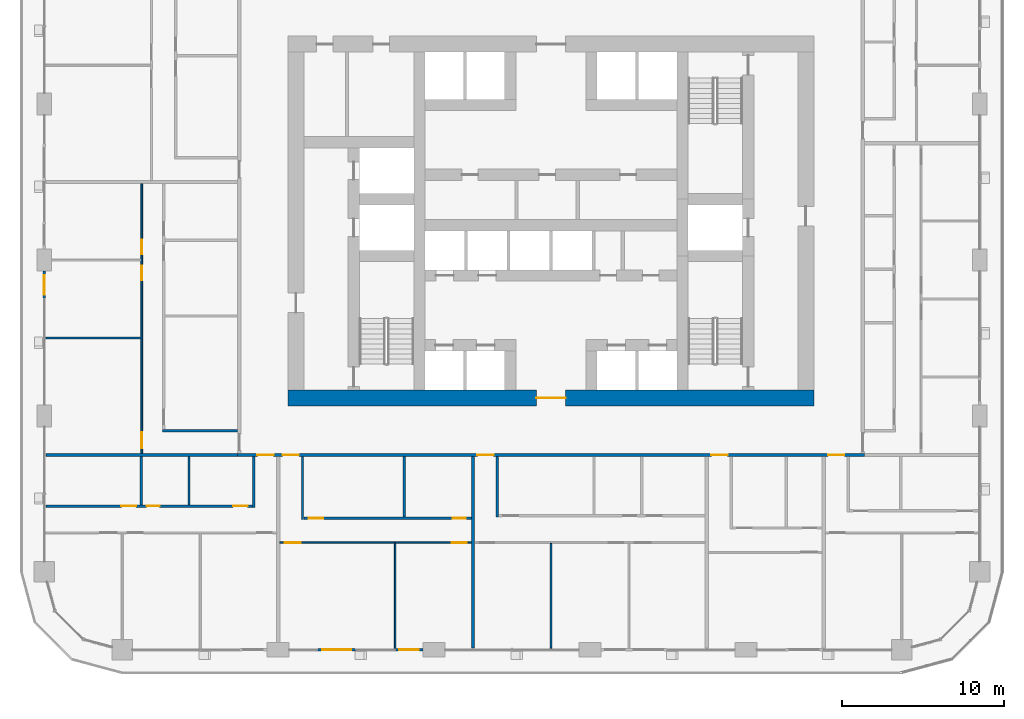
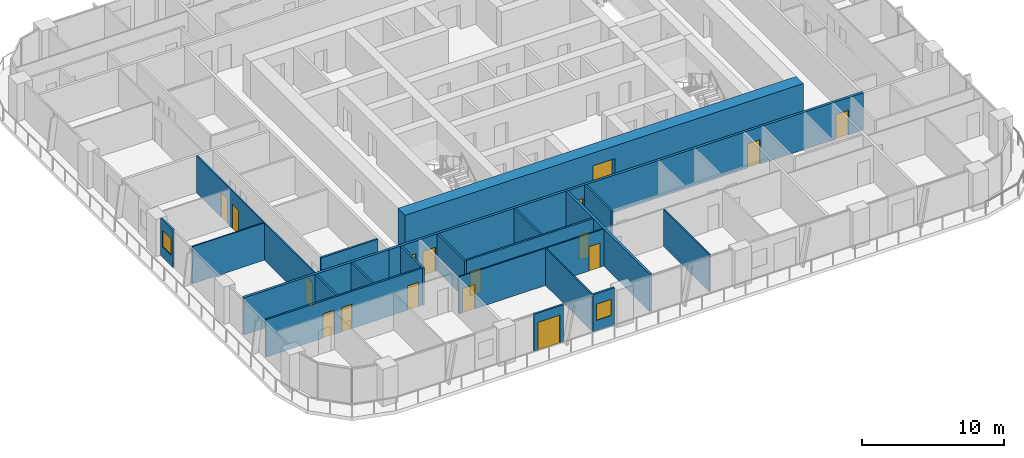
# One storey, part 9 of 21: 21 walls, 17 doors, 2 windows, 19 openings.
"""IFC4 building model written with IfcOpenShell, lengths in metres."""

from ifc_helpers import new_model, si_unit, direction, frame, frame_2d, origin, place, context, subcontext, project, spatial, rectangle, extrude, material, layer, layer_set, type_object, element, fill, save


model = new_model("IFC4")

# Units and contexts
model_context = context("Model", 3, precision=1e-05, world=origin(), true_north=direction((0.0, 1.0)))
body_context = subcontext(model_context, "Body", "Model", "MODEL_VIEW")
ifc_project = project(units=[si_unit("LENGTHUNIT", "METRE"), si_unit("AREAUNIT", "SQUARE_METRE"), si_unit("VOLUMEUNIT", "CUBIC_METRE"), si_unit("PLANEANGLEUNIT", "RADIAN"), si_unit("MASSUNIT", "GRAM", prefix="KILO")], contexts=[model_context])

# Site, building, storey
site_placement = place(None, origin())
site = spatial("IfcSite", under=ifc_project, at=site_placement, CompositionType="ELEMENT")
building_placement = place(site_placement, origin())
building = spatial("IfcBuilding", under=site, at=building_placement, Name="Madar Terraces", CompositionType="ELEMENT")
storey_placement = place(building_placement, frame((0.0, 0.0, 32.89990234375)))
storey = spatial("IfcBuildingStorey", under=building, at=storey_placement, Name="L07", CompositionType="ELEMENT", Elevation=32.89990234375)

# Wall, opening, door
ifc_material_1 = material(Name="Concrete C80/95", Category="concrete")
ifc_layer_1 = layer(ifc_material_1, 1.0)
ifc_layer_set_1 = layer_set([ifc_layer_1], Name="Concrete C80/95 (CRW1 RC wall 1000)")
wall_type_1 = type_object("IfcWallType", Name="CRW1 RC wall 1000", PredefinedType="SHEAR", material=ifc_layer_set_1)
wall_1_placement = place(storey_placement, frame((15.0, 15.5, 0.0), z_axis=(0.0, 0.0, 1.0), x_axis=(1.0, 0.0, 0.0)))
wall_1 = element("IfcWall", 1, at=wall_1_placement, inside=storey, type_object=wall_type_1, Name="CORE OUTER WALL", PredefinedType="SHEAR", context=body_context, shape_type="SweptSolid", body=[
    extrude(rectangle(XDim=32.39990234375, YDim=1.0, at=frame_2d((16.199951171875, 0.0))), origin(), (0.0, 0.0, 1.0), 3.2001953125),
])
opening_1_placement = place(wall_1_placement, frame((15.300048828125, 0.0, 0.0)))
opening_1 = element("IfcOpeningElement", 2, at=opening_1_placement, cuts=wall_1, Name="Opening KD1", PredefinedType="OPENING", context=body_context, shape_type="SweptSolid", body=[
    extrude(rectangle(XDim=1.800048828125, YDim=2.10009765625, at=frame_2d((0.89990234375, 1.050048828125))), frame((0.0, 0.510009765625, 0.0), z_axis=(0.0, -1.0, 0.0), x_axis=(1.0, 0.0, 0.0)), (0.0, 0.0, 1.0), 1.02001953125),
])
ifc_material_2 = material(Name="Steel door leaf", Category="steel")
door_type_1 = type_object("IfcDoorType", Name="Lobby door pair 1800 x 2100", OperationType="DOUBLE_DOOR_SINGLE_SWING", PredefinedType="DOOR", material=ifc_material_2)
door_1_placement = place(opening_1_placement, frame((1.800048828125, 0.0, 0.0), z_axis=(0.0, 0.0, 1.0), x_axis=(-1.0, 0.0, 0.0)))
door_1 = element("IfcDoor", 3, at=door_1_placement, inside=storey, type_object=door_type_1, Name="LIFT LOBBY DOOR", OperationType="DOUBLE_DOOR_SINGLE_SWING", OverallHeight=2.10009765625, OverallWidth=1.800048828125, PredefinedType="DOOR", context=body_context, shape_type="SweptSolid", body=[
    extrude(rectangle(XDim=1.800048828125, YDim=2.10009765625, at=frame_2d((0.89990234375, 1.050048828125))), frame((0.0, 0.02490234375, 0.0), z_axis=(0.0, -1.0, 0.0), x_axis=(1.0, 0.0, 0.0)), (0.0, 0.0, 1.0), 0.050048828125),
])
fill(opening_1, door_1)

ifc_material_3 = material(Name="Aluminium composite panel, black, over insulated backing", Category="aluminium")
ifc_layer_2 = layer(ifc_material_3, 0.14990234375)
ifc_layer_set_2 = layer_set([ifc_layer_2], Name="Facade bay panel 150")
wall_type_2 = type_object("IfcWallType", Name="Facade bay panel 150", PredefinedType="SOLIDWALL", material=ifc_layer_set_2)
wall_2_placement = place(storey_placement, frame((16.800048828125, 0.0, 0.0), z_axis=(0.0, 0.0, 1.0), x_axis=(1.0, 0.0, 0.0)))
wall_2 = element("IfcWall", 4, at=wall_2_placement, inside=storey, type_object=wall_type_2, Name="Facade bay panel", PredefinedType="SOLIDWALL", context=body_context, shape_type="SweptSolid", body=[
    extrude(rectangle(XDim=2.39990234375, YDim=0.14990234375, at=frame_2d((1.199951171875, 0.0))), origin(), (0.0, 0.0, 1.0), 3.2001953125),
])
opening_2_placement = place(wall_2_placement, frame((0.300048828125, 0.0, 0.0)))
opening_2 = element("IfcOpeningElement", 5, at=opening_2_placement, cuts=wall_2, Name="Opening ED1", PredefinedType="OPENING", context=body_context, shape_type="SweptSolid", body=[
    extrude(rectangle(XDim=1.800048828125, YDim=2.39990234375, at=frame_2d((0.89990234375, 1.199951171875))), frame((0.0, 0.0849609375, 0.0), z_axis=(0.0, -1.0, 0.0), x_axis=(1.0, 0.0, 0.0)), (0.0, 0.0, 1.0), 0.169921875),
])
ifc_material_4 = material(Name="Glass, clear, with black aluminium frame", Category="aluminium")
door_type_2 = type_object("IfcDoorType", Name="Balcony and terrace sliding door 1800 x 2400", OperationType="SLIDING_TO_LEFT", PredefinedType="DOOR", material=ifc_material_4)
door_2_placement = place(opening_2_placement, origin())
door_2 = element("IfcDoor", 6, at=door_2_placement, inside=storey, type_object=door_type_2, Name="Balcony door", OperationType="SLIDING_TO_LEFT", OverallHeight=2.39990234375, OverallWidth=1.800048828125, PredefinedType="DOOR", context=body_context, shape_type="SweptSolid", body=[
    extrude(rectangle(XDim=1.800048828125, YDim=2.39990234375, at=frame_2d((0.89990234375, 1.199951171875))), frame((0.0, 0.02490234375, 0.0), z_axis=(0.0, -1.0, 0.0), x_axis=(1.0, 0.0, 0.0)), (0.0, 0.0, 1.0), 0.050048828125),
])
fill(opening_2, door_2)

# Wall, opening, window
wall_3_placement = place(storey_placement, frame((21.60009765625, 0.0, 0.0), z_axis=(0.0, 0.0, 1.0), x_axis=(1.0, 0.0, 0.0)))
wall_3 = element("IfcWall", 7, at=wall_3_placement, inside=storey, type_object=wall_type_2, Name="Facade bay panel", PredefinedType="SOLIDWALL", context=body_context, shape_type="SweptSolid", body=[
    extrude(rectangle(XDim=1.724853515625, YDim=0.14990234375, at=frame_2d((0.8623046875, 0.0))), origin(), (0.0, 0.0, 1.0), 3.2001953125),
])
opening_3_placement = place(wall_3_placement, frame((0.262451171875, 0.0, 0.89990234375)))
opening_3 = element("IfcOpeningElement", 8, at=opening_3_placement, cuts=wall_3, Name="Opening W1", PredefinedType="OPENING", context=body_context, shape_type="SweptSolid", body=[
    extrude(rectangle(XDim=1.199951171875, YDim=1.39990234375, at=frame_2d((0.60009765625, 0.699951171875))), frame((0.0, 0.0849609375, 0.0), z_axis=(0.0, -1.0, 0.0), x_axis=(1.0, 0.0, 0.0)), (0.0, 0.0, 1.0), 0.169921875),
])
ifc_material_5 = material(Name="Glass, clear, with black aluminium frame", Category="aluminium")
window_type = type_object("IfcWindowType", Name="Vent window 1200 x 1400", PartitioningType="SINGLE_PANEL", PredefinedType="WINDOW", material=ifc_material_5)
window_1_placement = place(opening_3_placement, origin())
window_1 = element("IfcWindow", 9, at=window_1_placement, inside=storey, type_object=window_type, Name="Operable vent window", OverallHeight=1.39990234375, OverallWidth=1.199951171875, PartitioningType="SINGLE_PANEL", PredefinedType="WINDOW", context=body_context, shape_type="SweptSolid", body=[
    extrude(rectangle(XDim=1.199951171875, YDim=1.39990234375, at=frame_2d((0.60009765625, 0.699951171875))), frame((0.0, 0.030029296875, 0.0), z_axis=(0.0, -1.0, 0.0), x_axis=(1.0, 0.0, 0.0)), (0.0, 0.0, 1.0), 0.06005859375),
])
fill(opening_3, window_1)

wall_4_placement = place(storey_placement, frame((0.0, 23.324951171875, 0.0), z_axis=(0.0, 0.0, 1.0), x_axis=(0.0, -1.0, 0.0)))
wall_4 = element("IfcWall", 10, at=wall_4_placement, inside=storey, type_object=wall_type_2, Name="Facade bay panel", PredefinedType="SOLIDWALL", context=body_context, shape_type="SweptSolid", body=[
    extrude(rectangle(XDim=1.724853515625, YDim=0.14990234375, at=frame_2d((0.8623046875, 0.0))), origin(), (0.0, 0.0, 1.0), 3.2001953125),
])
opening_4_placement = place(wall_4_placement, frame((0.262451171875, 0.0, 0.89990234375)))
opening_4 = element("IfcOpeningElement", 11, at=opening_4_placement, cuts=wall_4, Name="Opening W1", PredefinedType="OPENING", context=body_context, shape_type="SweptSolid", body=[
    extrude(rectangle(XDim=1.199951171875, YDim=1.39990234375, at=frame_2d((0.60009765625, 0.699951171875))), frame((0.0, 0.0849609375, 0.0), z_axis=(0.0, -1.0, 0.0), x_axis=(1.0, 0.0, 0.0)), (0.0, 0.0, 1.0), 0.169921875),
])
window_2_placement = place(opening_4_placement, origin())
window_2 = element("IfcWindow", 12, at=window_2_placement, inside=storey, type_object=window_type, Name="Operable vent window", OverallHeight=1.39990234375, OverallWidth=1.199951171875, PartitioningType="SINGLE_PANEL", PredefinedType="WINDOW", context=body_context, shape_type="SweptSolid", body=[
    extrude(rectangle(XDim=1.199951171875, YDim=1.39990234375, at=frame_2d((0.60009765625, 0.699951171875))), frame((0.0, 0.030029296875, 0.0), z_axis=(0.0, -1.0, 0.0), x_axis=(1.0, 0.0, 0.0)), (0.0, 0.0, 1.0), 0.06005859375),
])
fill(opening_4, window_2)

# Wall
ifc_material_6 = material(Name="Gypsum board on steel studs", Category="steel")
ifc_layer_3 = layer(ifc_material_6, 0.10009765625)
ifc_layer_set_3 = layer_set([ifc_layer_3], Name="Flat partition 100")
wall_type_3 = type_object("IfcWallType", Name="Flat partition 100", PredefinedType="PARTITIONING", material=ifc_layer_set_3)
wall_5_placement = place(storey_placement, frame((21.60009765625, 6.550048828125, 0.0), z_axis=(0.0, 0.0, 1.0), x_axis=(0.0, -1.0, 0.0)))
element("IfcWall", 13, at=wall_5_placement, inside=storey, type_object=wall_type_3, Name="Flat partition 100", PredefinedType="PARTITIONING", context=body_context, shape_type="SweptSolid", body=[
    extrude(rectangle(XDim=6.449951171875, YDim=0.10009765625, at=frame_2d((3.22509765625, 0.0))), origin(), (0.0, 0.0, 1.0), 3.2001953125),
])

# Wall, openings, doors
wall_6_placement = place(storey_placement, frame((26.300048828125, 6.60009765625, 0.0), z_axis=(0.0, 0.0, 1.0), x_axis=(-1.0, 0.0, 0.0)))
wall_6 = element("IfcWall", 14, at=wall_6_placement, inside=storey, type_object=wall_type_3, Name="Flat partition 100", PredefinedType="PARTITIONING", context=body_context, shape_type="SweptSolid", body=[
    extrude(rectangle(XDim=11.800048828125, YDim=0.10009765625, at=frame_2d((5.89990234375, 0.0))), origin(), (0.0, 0.0, 1.0), 3.2001953125),
])
opening_5_placement = place(wall_6_placement, frame((10.5, 0.0, 0.0)))
opening_5 = element("IfcOpeningElement", 15, at=opening_5_placement, cuts=wall_6, Name="Opening D3", PredefinedType="OPENING", context=body_context, shape_type="SweptSolid", body=[
    extrude(rectangle(XDim=1.0, YDim=2.10009765625, at=frame_2d((0.5, 1.050048828125))), frame((0.0, 0.06005859375, 0.0), z_axis=(0.0, -1.0, 0.0), x_axis=(1.0, 0.0, 0.0)), (0.0, 0.0, 1.0), 0.1201171875),
])
opening_6_placement = place(wall_6_placement, frame((0.300048828125, 0.0, 0.0)))
opening_6 = element("IfcOpeningElement", 16, at=opening_6_placement, cuts=wall_6, Name="Opening D2", PredefinedType="OPENING", context=body_context, shape_type="SweptSolid", body=[
    extrude(rectangle(XDim=0.89990234375, YDim=2.10009765625, at=frame_2d((0.449951171875, 1.050048828125))), frame((0.0, 0.06005859375, 0.0), z_axis=(0.0, -1.0, 0.0), x_axis=(1.0, 0.0, 0.0)), (0.0, 0.0, 1.0), 0.1201171875),
])
ifc_material_7 = material(Name="Timber door leaf", Category="wood")
door_type_3 = type_object("IfcDoorType", Name="Flat living room door 1000", OperationType="NOTDEFINED", PredefinedType="DOOR", material=ifc_material_7)
door_3_placement = place(opening_5_placement, origin())
door_3 = element("IfcDoor", 17, at=door_3_placement, inside=storey, type_object=door_type_3, Name="Flat living room door 1000", OperationType="SINGLE_SWING_RIGHT", OverallHeight=2.10009765625, OverallWidth=1.0, PredefinedType="DOOR", context=body_context, shape_type="SweptSolid", body=[
    extrude(rectangle(XDim=1.0, YDim=2.10009765625, at=frame_2d((0.5, 1.050048828125))), frame((0.0, 0.02490234375, 0.0), z_axis=(0.0, -1.0, 0.0), x_axis=(1.0, 0.0, 0.0)), (0.0, 0.0, 1.0), 0.050048828125),
])
fill(opening_5, door_3)
ifc_material_8 = material(Name="Timber door leaf", Category="wood")
door_type_4 = type_object("IfcDoorType", Name="Flat room door 900", OperationType="NOTDEFINED", PredefinedType="DOOR", material=ifc_material_8)
door_4_placement = place(opening_6_placement, origin())
door_4 = element("IfcDoor", 18, at=door_4_placement, inside=storey, type_object=door_type_4, Name="Flat room door 900", OperationType="SINGLE_SWING_LEFT", OverallHeight=2.10009765625, OverallWidth=0.89990234375, PredefinedType="DOOR", context=body_context, shape_type="SweptSolid", body=[
    extrude(rectangle(XDim=0.89990234375, YDim=2.10009765625, at=frame_2d((0.449951171875, 1.050048828125))), frame((0.0, 0.02490234375, 0.0), z_axis=(0.0, -1.0, 0.0), x_axis=(1.0, 0.0, 0.0)), (0.0, 0.0, 1.0), 0.050048828125),
])
fill(opening_6, door_4)

# Walls
wall_7_placement = place(storey_placement, frame((31.199951171875, 6.550048828125, 0.0), z_axis=(0.0, 0.0, 1.0), x_axis=(0.0, -1.0, 0.0)))
element("IfcWall", 19, at=wall_7_placement, inside=storey, type_object=wall_type_3, Name="Flat partition 100", PredefinedType="PARTITIONING", context=body_context, shape_type="SweptSolid", body=[
    extrude(rectangle(XDim=6.449951171875, YDim=0.10009765625, at=frame_2d((3.22509765625, 0.0))), origin(), (0.0, 0.0, 1.0), 3.2001953125),
])
wall_8_placement = place(storey_placement, frame((5.949951171875, 19.199951171875, 0.0), z_axis=(0.0, 0.0, 1.0), x_axis=(-1.0, 0.0, 0.0)))
element("IfcWall", 20, at=wall_8_placement, inside=storey, type_object=wall_type_3, Name="Flat partition 100", PredefinedType="PARTITIONING", context=body_context, shape_type="SweptSolid", body=[
    extrude(rectangle(XDim=5.849853515625, YDim=0.10009765625, at=frame_2d((2.9248046875, 0.0))), origin(), (0.0, 0.0, 1.0), 3.2001953125),
])

# Wall, openings, doors
wall_9_placement = place(storey_placement, frame((6.0, 12.10009765625, 0.0), z_axis=(0.0, 0.0, 1.0), x_axis=(0.0, 1.0, 0.0)))
wall_9 = element("IfcWall", 21, at=wall_9_placement, inside=storey, type_object=wall_type_3, Name="Flat partition 100", PredefinedType="PARTITIONING", context=body_context, shape_type="SweptSolid", body=[
    extrude(rectangle(XDim=16.599853515625, YDim=0.10009765625, at=frame_2d((8.2998046875, 0.0))), origin(), (0.0, 0.0, 1.0), 3.2001953125),
])
opening_7_placement = place(wall_9_placement, frame((0.300048828125, 0.0, 0.0)))
opening_7 = element("IfcOpeningElement", 22, at=opening_7_placement, cuts=wall_9, Name="Opening D3", PredefinedType="OPENING", context=body_context, shape_type="SweptSolid", body=[
    extrude(rectangle(XDim=1.0, YDim=2.10009765625, at=frame_2d((0.5, 1.050048828125))), frame((0.0, 0.06005859375, 0.0), z_axis=(0.0, -1.0, 0.0), x_axis=(1.0, 0.0, 0.0)), (0.0, 0.0, 1.0), 0.1201171875),
])
opening_8_placement = place(wall_9_placement, frame((10.64990234375, 0.0, 0.0)))
opening_8 = element("IfcOpeningElement", 23, at=opening_8_placement, cuts=wall_9, Name="Opening D2", PredefinedType="OPENING", context=body_context, shape_type="SweptSolid", body=[
    extrude(rectangle(XDim=0.89990234375, YDim=2.10009765625, at=frame_2d((0.449951171875, 1.050048828125))), frame((0.0, 0.06005859375, 0.0), z_axis=(0.0, -1.0, 0.0), x_axis=(1.0, 0.0, 0.0)), (0.0, 0.0, 1.0), 0.1201171875),
])
opening_9_placement = place(wall_9_placement, frame((12.25, 0.0, 0.0)))
opening_9 = element("IfcOpeningElement", 24, at=opening_9_placement, cuts=wall_9, Name="Opening D2", PredefinedType="OPENING", context=body_context, shape_type="SweptSolid", body=[
    extrude(rectangle(XDim=0.89990234375, YDim=2.10009765625, at=frame_2d((0.449951171875, 1.050048828125))), frame((0.0, 0.06005859375, 0.0), z_axis=(0.0, -1.0, 0.0), x_axis=(1.0, 0.0, 0.0)), (0.0, 0.0, 1.0), 0.1201171875),
])
door_5_placement = place(opening_7_placement, origin())
door_5 = element("IfcDoor", 25, at=door_5_placement, inside=storey, type_object=door_type_3, Name="Flat living room door 1000", OperationType="SINGLE_SWING_LEFT", OverallHeight=2.10009765625, OverallWidth=1.0, PredefinedType="DOOR", context=body_context, shape_type="SweptSolid", body=[
    extrude(rectangle(XDim=1.0, YDim=2.10009765625, at=frame_2d((0.5, 1.050048828125))), frame((0.0, 0.02490234375, 0.0), z_axis=(0.0, -1.0, 0.0), x_axis=(1.0, 0.0, 0.0)), (0.0, 0.0, 1.0), 0.050048828125),
])
fill(opening_7, door_5)
door_6_placement = place(opening_8_placement, origin())
door_6 = element("IfcDoor", 26, at=door_6_placement, inside=storey, type_object=door_type_4, Name="Flat room door 900", OperationType="SINGLE_SWING_RIGHT", OverallHeight=2.10009765625, OverallWidth=0.89990234375, PredefinedType="DOOR", context=body_context, shape_type="SweptSolid", body=[
    extrude(rectangle(XDim=0.89990234375, YDim=2.10009765625, at=frame_2d((0.449951171875, 1.050048828125))), frame((0.0, 0.02490234375, 0.0), z_axis=(0.0, -1.0, 0.0), x_axis=(1.0, 0.0, 0.0)), (0.0, 0.0, 1.0), 0.050048828125),
])
fill(opening_8, door_6)
door_7_placement = place(opening_9_placement, origin())
door_7 = element("IfcDoor", 27, at=door_7_placement, inside=storey, type_object=door_type_4, Name="Flat room door 900", OperationType="SINGLE_SWING_LEFT", OverallHeight=2.10009765625, OverallWidth=0.89990234375, PredefinedType="DOOR", context=body_context, shape_type="SweptSolid", body=[
    extrude(rectangle(XDim=0.89990234375, YDim=2.10009765625, at=frame_2d((0.449951171875, 1.050048828125))), frame((0.0, 0.02490234375, 0.0), z_axis=(0.0, -1.0, 0.0), x_axis=(1.0, 0.0, 0.0)), (0.0, 0.0, 1.0), 0.050048828125),
])
fill(opening_9, door_7)

ifc_material_9 = material(Name="Lightweight blockwork", Category="masonry")
ifc_layer_4 = layer(ifc_material_9, 0.199951171875)
ifc_layer_set_4 = layer_set([ifc_layer_4], Name="Flat party and entrance wall 200")
wall_type_4 = type_object("IfcWallType", Name="Flat party and entrance wall 200", PredefinedType="PARTITIONING", material=ifc_layer_set_4)
wall_10_placement = place(storey_placement, frame((50.5, 12.0, 0.0), z_axis=(0.0, 0.0, 1.0), x_axis=(-1.0, 0.0, 0.0)))
wall_10 = element("IfcWall", 28, at=wall_10_placement, inside=storey, type_object=wall_type_4, Name="Flat party and entrance wall 200", PredefinedType="PARTITIONING", context=body_context, shape_type="SweptSolid", body=[
    extrude(rectangle(XDim=38.60009765625, YDim=0.199951171875, at=frame_2d((19.300048828125, 0.0))), origin(), (0.0, 0.0, 1.0), 3.2001953125),
])
opening_10_placement = place(wall_10_placement, frame((36.375, 0.0, 0.0)))
opening_10 = element("IfcOpeningElement", 29, at=opening_10_placement, cuts=wall_10, Name="Opening D1", PredefinedType="OPENING", context=body_context, shape_type="SweptSolid", body=[
    extrude(rectangle(XDim=1.0, YDim=2.10009765625, at=frame_2d((0.5, 1.050048828125))), frame((0.0, 0.10986328125, 0.0), z_axis=(0.0, -1.0, 0.0), x_axis=(1.0, 0.0, 0.0)), (0.0, 0.0, 1.0), 0.219970703125),
])
opening_11_placement = place(wall_10_placement, frame((34.824951171875, 0.0, 0.0)))
opening_11 = element("IfcOpeningElement", 30, at=opening_11_placement, cuts=wall_10, Name="Opening D1", PredefinedType="OPENING", context=body_context, shape_type="SweptSolid", body=[
    extrude(rectangle(XDim=1.0, YDim=2.10009765625, at=frame_2d((0.5, 1.050048828125))), frame((0.0, 0.10986328125, 0.0), z_axis=(0.0, -1.0, 0.0), x_axis=(1.0, 0.0, 0.0)), (0.0, 0.0, 1.0), 0.219970703125),
])
opening_12_placement = place(wall_10_placement, frame((22.824951171875, 0.0, 0.0)))
opening_12 = element("IfcOpeningElement", 31, at=opening_12_placement, cuts=wall_10, Name="Opening D1", PredefinedType="OPENING", context=body_context, shape_type="SweptSolid", body=[
    extrude(rectangle(XDim=1.0, YDim=2.10009765625, at=frame_2d((0.5, 1.050048828125))), frame((0.0, 0.10986328125, 0.0), z_axis=(0.0, -1.0, 0.0), x_axis=(1.0, 0.0, 0.0)), (0.0, 0.0, 1.0), 0.219970703125),
])
opening_13_placement = place(wall_10_placement, frame((8.425048828125, 0.0, 0.0)))
opening_13 = element("IfcOpeningElement", 32, at=opening_13_placement, cuts=wall_10, Name="Opening D1", PredefinedType="OPENING", context=body_context, shape_type="SweptSolid", body=[
    extrude(rectangle(XDim=1.0, YDim=2.10009765625, at=frame_2d((0.5, 1.050048828125))), frame((0.0, 0.10986328125, 0.0), z_axis=(0.0, -1.0, 0.0), x_axis=(1.0, 0.0, 0.0)), (0.0, 0.0, 1.0), 0.219970703125),
])
opening_14_placement = place(wall_10_placement, frame((1.22509765625, 0.0, 0.0)))
opening_14 = element("IfcOpeningElement", 33, at=opening_14_placement, cuts=wall_10, Name="Opening D1", PredefinedType="OPENING", context=body_context, shape_type="SweptSolid", body=[
    extrude(rectangle(XDim=1.0, YDim=2.10009765625, at=frame_2d((0.5, 1.050048828125))), frame((0.0, 0.10986328125, 0.0), z_axis=(0.0, -1.0, 0.0), x_axis=(1.0, 0.0, 0.0)), (0.0, 0.0, 1.0), 0.219970703125),
])
ifc_material_10 = material(Name="Timber fire door leaf", Category="wood")
door_type_5 = type_object("IfcDoorType", Name="Flat entrance door 1000 FD30S", OperationType="NOTDEFINED", PredefinedType="DOOR", material=ifc_material_10)
door_8_placement = place(opening_10_placement, origin())
door_8 = element("IfcDoor", 34, at=door_8_placement, inside=storey, type_object=door_type_5, Name="Flat entrance door 1000 FD30S", OperationType="SINGLE_SWING_LEFT", OverallHeight=2.10009765625, OverallWidth=1.0, PredefinedType="DOOR", context=body_context, shape_type="SweptSolid", body=[
    extrude(rectangle(XDim=1.0, YDim=2.10009765625, at=frame_2d((0.5, 1.050048828125))), frame((0.0, 0.02490234375, 0.0), z_axis=(0.0, -1.0, 0.0), x_axis=(1.0, 0.0, 0.0)), (0.0, 0.0, 1.0), 0.050048828125),
])
fill(opening_10, door_8)
door_9_placement = place(opening_11_placement, origin())
door_9 = element("IfcDoor", 35, at=door_9_placement, inside=storey, type_object=door_type_5, Name="Flat entrance door 1000 FD30S", OperationType="SINGLE_SWING_RIGHT", OverallHeight=2.10009765625, OverallWidth=1.0, PredefinedType="DOOR", context=body_context, shape_type="SweptSolid", body=[
    extrude(rectangle(XDim=1.0, YDim=2.10009765625, at=frame_2d((0.5, 1.050048828125))), frame((0.0, 0.02490234375, 0.0), z_axis=(0.0, -1.0, 0.0), x_axis=(1.0, 0.0, 0.0)), (0.0, 0.0, 1.0), 0.050048828125),
])
fill(opening_11, door_9)
door_10_placement = place(opening_12_placement, origin())
door_10 = element("IfcDoor", 36, at=door_10_placement, inside=storey, type_object=door_type_5, Name="Flat entrance door 1000 FD30S", OperationType="SINGLE_SWING_RIGHT", OverallHeight=2.10009765625, OverallWidth=1.0, PredefinedType="DOOR", context=body_context, shape_type="SweptSolid", body=[
    extrude(rectangle(XDim=1.0, YDim=2.10009765625, at=frame_2d((0.5, 1.050048828125))), frame((0.0, 0.02490234375, 0.0), z_axis=(0.0, -1.0, 0.0), x_axis=(1.0, 0.0, 0.0)), (0.0, 0.0, 1.0), 0.050048828125),
])
fill(opening_12, door_10)
door_11_placement = place(opening_13_placement, origin())
door_11 = element("IfcDoor", 37, at=door_11_placement, inside=storey, type_object=door_type_5, Name="Flat entrance door 1000 FD30S", OperationType="SINGLE_SWING_RIGHT", OverallHeight=2.10009765625, OverallWidth=1.0, PredefinedType="DOOR", context=body_context, shape_type="SweptSolid", body=[
    extrude(rectangle(XDim=1.0, YDim=2.10009765625, at=frame_2d((0.5, 1.050048828125))), frame((0.0, 0.02490234375, 0.0), z_axis=(0.0, -1.0, 0.0), x_axis=(1.0, 0.0, 0.0)), (0.0, 0.0, 1.0), 0.050048828125),
])
fill(opening_13, door_11)
door_12_placement = place(opening_14_placement, origin())
door_12 = element("IfcDoor", 38, at=door_12_placement, inside=storey, type_object=door_type_5, Name="Flat entrance door 1000 FD30S", OperationType="SINGLE_SWING_RIGHT", OverallHeight=2.10009765625, OverallWidth=1.0, PredefinedType="DOOR", context=body_context, shape_type="SweptSolid", body=[
    extrude(rectangle(XDim=1.0, YDim=2.10009765625, at=frame_2d((0.5, 1.050048828125))), frame((0.0, 0.02490234375, 0.0), z_axis=(0.0, -1.0, 0.0), x_axis=(1.0, 0.0, 0.0)), (0.0, 0.0, 1.0), 0.050048828125),
])
fill(opening_14, door_12)

# Walls
for number, where, z_axis, x_axis, name in (
    (39, (0.10009765625, 12.0, 0.0), (0.0, 0.0, 1.0), (1.0, 0.0, 0.0), "Flat party and entrance wall 200"),
    (40, (26.39990234375, 11.89990234375, 0.0), (0.0, 0.0, 1.0), (0.0, -1.0, 0.0), "Flat party and entrance wall 200"),
):
    element("IfcWall", number, at=place(storey_placement, frame(where, z_axis=z_axis, x_axis=x_axis)), inside=storey, type_object=wall_type_4, Name=name, PredefinedType="PARTITIONING", context=body_context, shape_type="SweptSolid", body=[
        extrude(rectangle(XDim=11.7998046875, YDim=0.199951171875, at=frame_2d((5.89990234375, 0.0))), origin(), (0.0, 0.0, 1.0), 3.2001953125),
    ])
ifc_material_11 = material(Name="Lightweight blockwork", Category="masonry")
ifc_layer_5 = layer(ifc_material_11, 0.14990234375)
ifc_layer_set_5 = layer_set([ifc_layer_5], Name="Flat wet-room partition 150")
wall_type_5 = type_object("IfcWallType", Name="Flat wet-room partition 150", PredefinedType="PARTITIONING", material=ifc_layer_set_5)
for number, where, z_axis, x_axis, name in (
    (41, (8.90966796875, 11.89990234375, 0.0), (0.0, 0.0, 1.0), (0.0, -1.0, 0.0), "Flat wet-room partition 150"),
    (42, (5.97314453125, 11.89990234375, 0.0), (0.0, 0.0, 1.0), (0.0, -1.0, 0.0), "Flat wet-room partition 150"),
):
    element("IfcWall", number, at=place(storey_placement, frame(where, z_axis=z_axis, x_axis=x_axis)), inside=storey, type_object=wall_type_5, Name=name, PredefinedType="PARTITIONING", context=body_context, shape_type="SweptSolid", body=[
        extrude(rectangle(XDim=2.974853515625, YDim=0.14990234375, at=frame_2d((1.4873046875, 0.0))), origin(), (0.0, 0.0, 1.0), 3.2001953125),
    ])
wall_11_placement = place(storey_placement, frame((12.89990234375, 11.89990234375, 0.0), z_axis=(0.0, 0.0, 1.0), x_axis=(0.0, -1.0, 0.0)))
element("IfcWall", 43, at=wall_11_placement, inside=storey, type_object=wall_type_5, Name="Flat wet-room partition 150", PredefinedType="PARTITIONING", context=body_context, shape_type="SweptSolid", body=[
    extrude(rectangle(XDim=3.125, YDim=0.14990234375, at=frame_2d((1.5625, 0.0))), origin(), (0.0, 0.0, 1.0), 3.2001953125),
])

# Wall, openings, doors
wall_12_placement = place(storey_placement, frame((0.10009765625, 8.85009765625, 0.0), z_axis=(0.0, 0.0, 1.0), x_axis=(1.0, 0.0, 0.0)))
wall_12 = element("IfcWall", 44, at=wall_12_placement, inside=storey, type_object=wall_type_5, Name="Flat wet-room partition 150", PredefinedType="PARTITIONING", context=body_context, shape_type="SweptSolid", body=[
    extrude(rectangle(XDim=12.724853515625, YDim=0.14990234375, at=frame_2d((6.3623046875, 0.0))), origin(), (0.0, 0.0, 1.0), 3.2001953125),
])
opening_15_placement = place(wall_12_placement, frame((11.52490234375, 0.0, 0.0)))
opening_15 = element("IfcOpeningElement", 45, at=opening_15_placement, cuts=wall_12, Name="Opening D5", PredefinedType="OPENING", context=body_context, shape_type="SweptSolid", body=[
    extrude(rectangle(XDim=0.89990234375, YDim=2.10009765625, at=frame_2d((0.449951171875, 1.050048828125))), frame((0.0, 0.0849609375, 0.0), z_axis=(0.0, -1.0, 0.0), x_axis=(1.0, 0.0, 0.0)), (0.0, 0.0, 1.0), 0.169921875),
])
opening_16_placement = place(wall_12_placement, frame((6.197998046875, 0.0, 0.0)))
opening_16 = element("IfcOpeningElement", 46, at=opening_16_placement, cuts=wall_12, Name="Opening D4", PredefinedType="OPENING", context=body_context, shape_type="SweptSolid", body=[
    extrude(rectangle(XDim=0.800048828125, YDim=2.10009765625, at=frame_2d((0.39990234375, 1.050048828125))), frame((0.0, 0.0849609375, 0.0), z_axis=(0.0, -1.0, 0.0), x_axis=(1.0, 0.0, 0.0)), (0.0, 0.0, 1.0), 0.169921875),
])
opening_17_placement = place(wall_12_placement, frame((4.648193359375, 0.0, 0.0)))
opening_17 = element("IfcOpeningElement", 47, at=opening_17_placement, cuts=wall_12, Name="Opening D2", PredefinedType="OPENING", context=body_context, shape_type="SweptSolid", body=[
    extrude(rectangle(XDim=0.89990234375, YDim=2.10009765625, at=frame_2d((0.449951171875, 1.050048828125))), frame((0.0, 0.0849609375, 0.0), z_axis=(0.0, -1.0, 0.0), x_axis=(1.0, 0.0, 0.0)), (0.0, 0.0, 1.0), 0.169921875),
])
ifc_material_12 = material(Name="Timber door leaf", Category="wood")
door_type_6 = type_object("IfcDoorType", Name="Flat accessible bathroom door 900", OperationType="NOTDEFINED", PredefinedType="DOOR", material=ifc_material_12)
door_13_placement = place(opening_15_placement, origin())
door_13 = element("IfcDoor", 48, at=door_13_placement, inside=storey, type_object=door_type_6, Name="Flat accessible bathroom door 900", OperationType="SINGLE_SWING_RIGHT", OverallHeight=2.10009765625, OverallWidth=0.89990234375, PredefinedType="DOOR", context=body_context, shape_type="SweptSolid", body=[
    extrude(rectangle(XDim=0.89990234375, YDim=2.10009765625, at=frame_2d((0.449951171875, 1.050048828125))), frame((0.0, 0.02490234375, 0.0), z_axis=(0.0, -1.0, 0.0), x_axis=(1.0, 0.0, 0.0)), (0.0, 0.0, 1.0), 0.050048828125),
])
fill(opening_15, door_13)
ifc_material_13 = material(Name="Timber door leaf", Category="wood")
door_type_7 = type_object("IfcDoorType", Name="Flat bathroom door 800", OperationType="NOTDEFINED", PredefinedType="DOOR", material=ifc_material_13)
door_14_placement = place(opening_16_placement, origin())
door_14 = element("IfcDoor", 49, at=door_14_placement, inside=storey, type_object=door_type_7, Name="Flat bathroom door 800", OperationType="SINGLE_SWING_LEFT", OverallHeight=2.10009765625, OverallWidth=0.800048828125, PredefinedType="DOOR", context=body_context, shape_type="SweptSolid", body=[
    extrude(rectangle(XDim=0.800048828125, YDim=2.10009765625, at=frame_2d((0.39990234375, 1.050048828125))), frame((0.0, 0.02490234375, 0.0), z_axis=(0.0, -1.0, 0.0), x_axis=(1.0, 0.0, 0.0)), (0.0, 0.0, 1.0), 0.050048828125),
])
fill(opening_16, door_14)
door_15_placement = place(opening_17_placement, origin())
door_15 = element("IfcDoor", 50, at=door_15_placement, inside=storey, type_object=door_type_4, Name="Flat room door 900", OperationType="SINGLE_SWING_RIGHT", OverallHeight=2.10009765625, OverallWidth=0.89990234375, PredefinedType="DOOR", context=body_context, shape_type="SweptSolid", body=[
    extrude(rectangle(XDim=0.89990234375, YDim=2.10009765625, at=frame_2d((0.449951171875, 1.050048828125))), frame((0.0, 0.02490234375, 0.0), z_axis=(0.0, -1.0, 0.0), x_axis=(1.0, 0.0, 0.0)), (0.0, 0.0, 1.0), 0.050048828125),
])
fill(opening_17, door_15)

# Walls
wall_13_placement = place(storey_placement, frame((22.169921875, 11.89990234375, 0.0), z_axis=(0.0, 0.0, 1.0), x_axis=(0.0, -1.0, 0.0)))
element("IfcWall", 51, at=wall_13_placement, inside=storey, type_object=wall_type_5, Name="Flat wet-room partition 150", PredefinedType="PARTITIONING", context=body_context, shape_type="SweptSolid", body=[
    extrude(rectangle(XDim=3.724853515625, YDim=0.14990234375, at=frame_2d((1.8623046875, 0.0))), origin(), (0.0, 0.0, 1.0), 3.2001953125),
])
wall_14_placement = place(storey_placement, frame((15.89990234375, 11.89990234375, 0.0), z_axis=(0.0, 0.0, 1.0), x_axis=(0.0, -1.0, 0.0)))
element("IfcWall", 52, at=wall_14_placement, inside=storey, type_object=wall_type_5, Name="Flat wet-room partition 150", PredefinedType="PARTITIONING", context=body_context, shape_type="SweptSolid", body=[
    extrude(rectangle(XDim=3.875, YDim=0.14990234375, at=frame_2d((1.9375, 0.0))), origin(), (0.0, 0.0, 1.0), 3.2001953125),
])

# Wall, openings, doors
wall_15_placement = place(storey_placement, frame((15.97509765625, 8.10009765625, 0.0), z_axis=(0.0, 0.0, 1.0), x_axis=(1.0, 0.0, 0.0)))
wall_15 = element("IfcWall", 53, at=wall_15_placement, inside=storey, type_object=wall_type_5, Name="Flat wet-room partition 150", PredefinedType="PARTITIONING", context=body_context, shape_type="SweptSolid", body=[
    extrude(rectangle(XDim=10.324951171875, YDim=0.14990234375, at=frame_2d((5.16259765625, 0.0))), origin(), (0.0, 0.0, 1.0), 3.2001953125),
])
opening_18_placement = place(wall_15_placement, frame((0.300048828125, 0.0, 0.0)))
opening_18 = element("IfcOpeningElement", 54, at=opening_18_placement, cuts=wall_15, Name="Opening D2", PredefinedType="OPENING", context=body_context, shape_type="SweptSolid", body=[
    extrude(rectangle(XDim=0.89990234375, YDim=2.10009765625, at=frame_2d((0.449951171875, 1.050048828125))), frame((0.0, 0.0849609375, 0.0), z_axis=(0.0, -1.0, 0.0), x_axis=(1.0, 0.0, 0.0)), (0.0, 0.0, 1.0), 0.169921875),
])
opening_19_placement = place(wall_15_placement, frame((9.175048828125, 0.0, 0.0)))
opening_19 = element("IfcOpeningElement", 55, at=opening_19_placement, cuts=wall_15, Name="Opening D4", PredefinedType="OPENING", context=body_context, shape_type="SweptSolid", body=[
    extrude(rectangle(XDim=0.800048828125, YDim=2.10009765625, at=frame_2d((0.39990234375, 1.050048828125))), frame((0.0, 0.0849609375, 0.0), z_axis=(0.0, -1.0, 0.0), x_axis=(1.0, 0.0, 0.0)), (0.0, 0.0, 1.0), 0.169921875),
])
door_16_placement = place(opening_19_placement, origin())
door_16 = element("IfcDoor", 56, at=door_16_placement, inside=storey, type_object=door_type_7, Name="Flat bathroom door 800", OperationType="SINGLE_SWING_RIGHT", OverallHeight=2.10009765625, OverallWidth=0.800048828125, PredefinedType="DOOR", context=body_context, shape_type="SweptSolid", body=[
    extrude(rectangle(XDim=0.800048828125, YDim=2.10009765625, at=frame_2d((0.39990234375, 1.050048828125))), frame((0.0, 0.02490234375, 0.0), z_axis=(0.0, -1.0, 0.0), x_axis=(1.0, 0.0, 0.0)), (0.0, 0.0, 1.0), 0.050048828125),
])
fill(opening_19, door_16)
door_17_placement = place(opening_18_placement, origin())
door_17 = element("IfcDoor", 57, at=door_17_placement, inside=storey, type_object=door_type_4, Name="Flat room door 900", OperationType="SINGLE_SWING_LEFT", OverallHeight=2.10009765625, OverallWidth=0.89990234375, PredefinedType="DOOR", context=body_context, shape_type="SweptSolid", body=[
    extrude(rectangle(XDim=0.89990234375, YDim=2.10009765625, at=frame_2d((0.449951171875, 1.050048828125))), frame((0.0, 0.02490234375, 0.0), z_axis=(0.0, -1.0, 0.0), x_axis=(1.0, 0.0, 0.0)), (0.0, 0.0, 1.0), 0.050048828125),
])
fill(opening_18, door_17)

# Walls
wall_16_placement = place(storey_placement, frame((27.89990234375, 11.89990234375, 0.0), z_axis=(0.0, 0.0, 1.0), x_axis=(0.0, -1.0, 0.0)))
element("IfcWall", 58, at=wall_16_placement, inside=storey, type_object=wall_type_5, Name="Flat wet-room partition 150", PredefinedType="PARTITIONING", context=body_context, shape_type="SweptSolid", body=[
    extrude(rectangle(XDim=3.724853515625, YDim=0.14990234375, at=frame_2d((1.8623046875, 0.0))), origin(), (0.0, 0.0, 1.0), 3.2001953125),
])
wall_17_placement = place(storey_placement, frame((11.89990234375, 13.5, 0.0), z_axis=(0.0, 0.0, 1.0), x_axis=(-1.0, 0.0, 0.0)))
element("IfcWall", 59, at=wall_17_placement, inside=storey, type_object=wall_type_5, Name="Flat wet-room partition 150", PredefinedType="PARTITIONING", context=body_context, shape_type="SweptSolid", body=[
    extrude(rectangle(XDim=4.625, YDim=0.14990234375, at=frame_2d((2.3125, 0.0))), origin(), (0.0, 0.0, 1.0), 3.2001953125),
])

save(model, "model.ifc")
